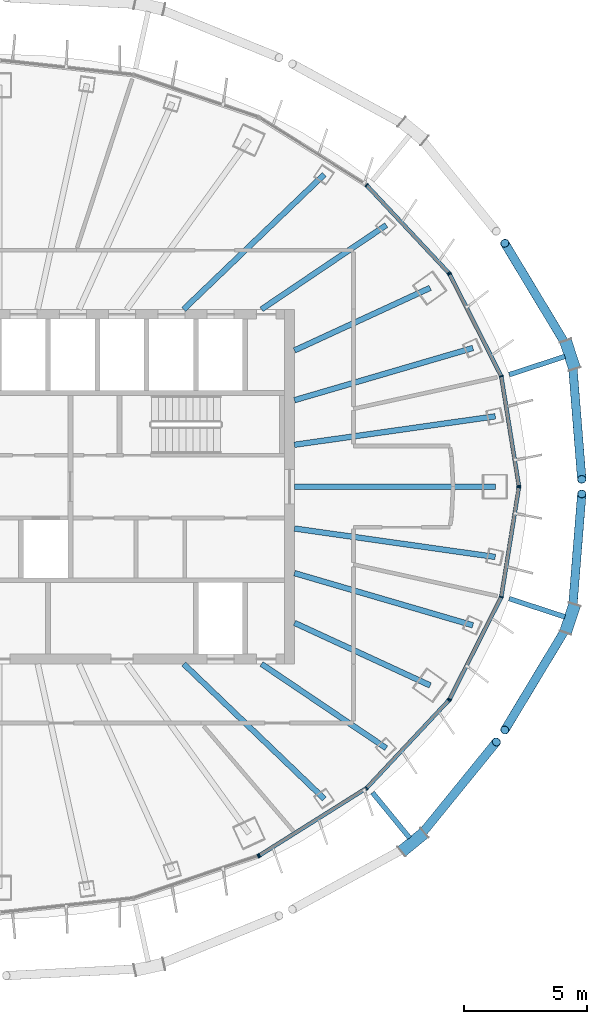
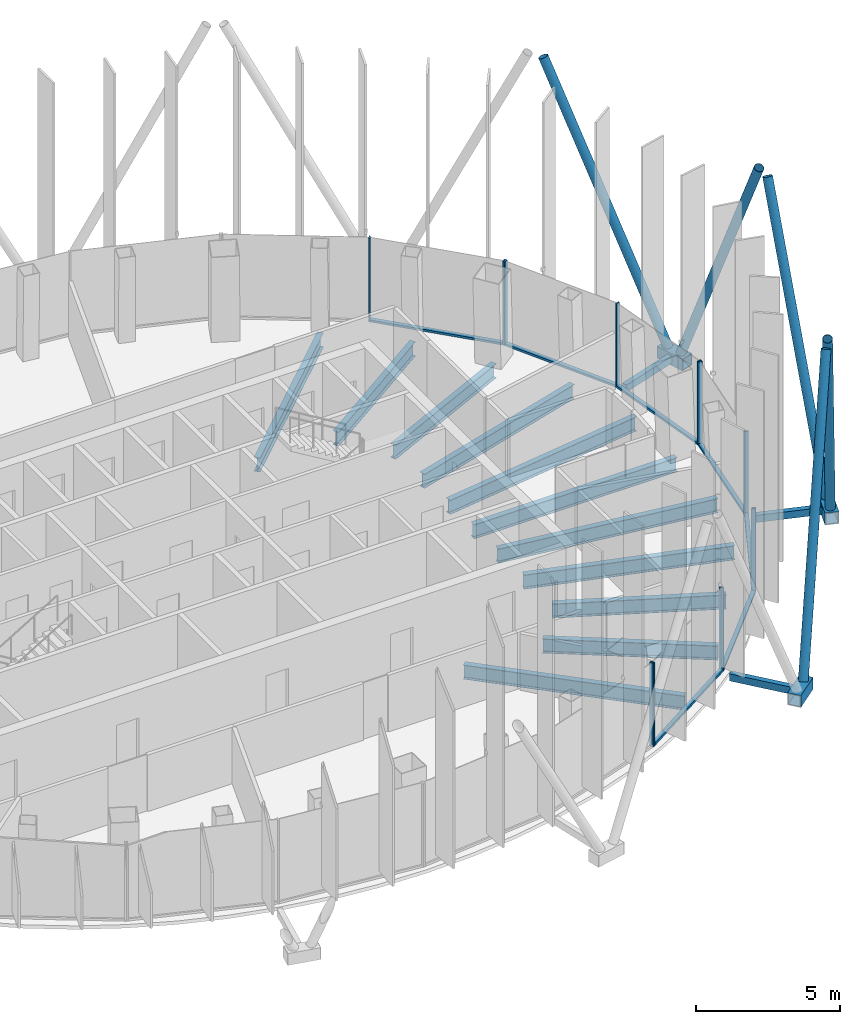
# One storey, part 6 of 19: 30 members, 11 beams, 5 elements without a shape of their own.
"""IFC4 building model written with IfcOpenShell, lengths in metres."""

from ifc_helpers import new_model, si_unit, direction, frame, origin, origin_2d, place, context, subcontext, project, spatial, rectangle, hollow_rectangle, hollow_circle, i_section, extrude, material, layer, layer_set, material_profile, profile_set, type_object, element, aggregate, save


model = new_model("IFC4")

# Units and contexts
model_context = context("Model", 3, precision=1e-05, world=origin(), true_north=direction((0.0, 1.0)))
body_context = subcontext(model_context, "Body", "Model", "MODEL_VIEW")
ifc_project = project(units=[si_unit("LENGTHUNIT", "METRE"), si_unit("AREAUNIT", "SQUARE_METRE"), si_unit("VOLUMEUNIT", "CUBIC_METRE"), si_unit("PLANEANGLEUNIT", "RADIAN"), si_unit("MASSUNIT", "GRAM", prefix="KILO")], contexts=[model_context])

# Site, building, storey
site_placement = place(None, origin())
site = spatial("IfcSite", under=ifc_project, at=site_placement, CompositionType="ELEMENT")
building_placement = place(site_placement, origin())
building = spatial("IfcBuilding", under=site, at=building_placement, Name="Siaravel Broadcast Tower", CompositionType="ELEMENT")
storey_placement = place(building_placement, frame((0.0, 0.0, 239.300048828125)))
storey = spatial("IfcBuildingStorey", under=building, at=storey_placement, Name="L58", CompositionType="ELEMENT", Elevation=239.300048828125)

# Beams
ifc_material_1 = material(Name="Steel S355", Category="steel")
ifc_material_profile_1 = material_profile(ifc_material_1, i_section(OverallWidth=0.2275390625, OverallDepth=0.6025390625, WebThickness=0.010498046875, FlangeThickness=0.014892578125, FilletRadius=0.0126953125, at=origin_2d()))
ifc_profile_set_1 = profile_set([ifc_material_profile_1], Name="Steel S355")
beam_type = type_object("IfcBeamType", Name="BM-UB 610x229x101", PredefinedType="BEAM", material=ifc_profile_set_1)
beam_1_placement = place(storey_placement, frame((20.159912109375, 0.0, -0.451416015625), z_axis=(-1.0, 0.0, 0.0), x_axis=(0.0, -1.0, 0.0)))
element("IfcBeam", 1, at=beam_1_placement, inside=storey, type_object=beam_type, Name="Radial beam RB01", PredefinedType="BEAM", context=body_context, shape_type="SweptSolid", body=[
    extrude(i_section(OverallWidth=0.2275390625, OverallDepth=0.6025390625, WebThickness=0.010498046875, FlangeThickness=0.014892578125, FilletRadius=0.0126953125, at=origin_2d()), origin(), (0.0, 0.0, 1.0), 8.159912109375),
])
beam_2_placement = place(storey_placement, frame((20.15478515625, 2.855712890625, -0.451416015625), z_axis=(-0.990109516, -0.140296639, 0.0), x_axis=(0.140296639, -0.990109516, 0.0)))
element("IfcBeam", 2, at=beam_2_placement, inside=storey, type_object=beam_type, Name="Radial beam RB02", PredefinedType="BEAM", context=body_context, shape_type="SweptSolid", body=[
    extrude(i_section(OverallWidth=0.2275390625, OverallDepth=0.6025390625, WebThickness=0.010498046875, FlangeThickness=0.014892578125, FilletRadius=0.0126953125, at=origin_2d()), origin(), (0.0, 0.0, 1.0), 8.236328125),
])
beam_3_placement = place(storey_placement, frame((19.24658203125, 5.631103515625, -0.451416015625), z_axis=(-0.959767168, -0.280797052, 0.0), x_axis=(0.280797052, -0.959767168, 0.0)))
element("IfcBeam", 3, at=beam_3_placement, inside=storey, type_object=beam_type, Name="Radial beam RB03", PredefinedType="BEAM", context=body_context, shape_type="SweptSolid", body=[
    extrude(i_section(OverallWidth=0.2275390625, OverallDepth=0.6025390625, WebThickness=0.010498046875, FlangeThickness=0.014892578125, FilletRadius=0.0126953125, at=origin_2d()), origin(), (0.0, 0.0, 1.0), 7.55029296875),
])
beam_4_placement = place(storey_placement, frame((17.512451171875, 8.073486328125, -0.451416015625), z_axis=(-0.908128823, -0.418690865, 0.0), x_axis=(0.418690865, -0.908128823, 0.0)))
element("IfcBeam", 4, at=beam_4_placement, inside=storey, type_object=beam_type, Name="Radial beam RB04", PredefinedType="BEAM", context=body_context, shape_type="SweptSolid", body=[
    extrude(i_section(OverallWidth=0.2275390625, OverallDepth=0.6025390625, WebThickness=0.010498046875, FlangeThickness=0.014892578125, FilletRadius=0.0126953125, at=origin_2d()), origin(), (0.0, 0.0, 1.0), 6.070068359375),
])
beam_5_placement = place(storey_placement, frame((15.727294921875, 10.62109375, -0.451416015625), z_axis=(-0.828723642, -0.559658043, 0.0), x_axis=(0.559658043, -0.828723642, 0.0)))
element("IfcBeam", 5, at=beam_5_placement, inside=storey, type_object=beam_type, Name="Radial beam RB05", PredefinedType="BEAM", context=body_context, shape_type="SweptSolid", body=[
    extrude(i_section(OverallWidth=0.2275390625, OverallDepth=0.6025390625, WebThickness=0.010498046875, FlangeThickness=0.014892578125, FilletRadius=0.0126953125, at=origin_2d()), origin(), (0.0, 0.0, 1.0), 6.113037109375),
])
for number, where, z_axis, x_axis, name in (
    (6, (13.21240234375, 12.680908203125, -0.451416015625), (-0.721455119, -0.692461198, 0.0), (0.692461198, -0.721455119, 0.0), "Radial beam RB06"),
    (7, (13.21240234375, -12.680908203125, -0.451416015625), (-0.721455119, 0.692461198, 0.0), (-0.692461198, -0.721455119, 0.0), "Radial beam RB32"),
):
    element("IfcBeam", number, at=place(storey_placement, frame(where, z_axis=z_axis, x_axis=x_axis)), inside=storey, type_object=beam_type, Name=name, PredefinedType="BEAM", context=body_context, shape_type="SweptSolid", body=[
        extrude(i_section(OverallWidth=0.2275390625, OverallDepth=0.6025390625, WebThickness=0.010498046875, FlangeThickness=0.014892578125, FilletRadius=0.0126953125, at=origin_2d()), origin(), (0.0, 0.0, 1.0), 7.915283203125),
    ])
beam_6_placement = place(storey_placement, frame((15.727294921875, -10.62109375, -0.451416015625), z_axis=(-0.828723642, 0.559658043, 0.0), x_axis=(-0.559658043, -0.828723642, 0.0)))
element("IfcBeam", 8, at=beam_6_placement, inside=storey, type_object=beam_type, Name="Radial beam RB33", PredefinedType="BEAM", context=body_context, shape_type="SweptSolid", body=[
    extrude(i_section(OverallWidth=0.2275390625, OverallDepth=0.6025390625, WebThickness=0.010498046875, FlangeThickness=0.014892578125, FilletRadius=0.0126953125, at=origin_2d()), origin(), (0.0, 0.0, 1.0), 6.113037109375),
])
beam_7_placement = place(storey_placement, frame((17.512451171875, -8.073486328125, -0.451416015625), z_axis=(-0.908128823, 0.418690865, 0.0), x_axis=(-0.418690865, -0.908128823, 0.0)))
element("IfcBeam", 9, at=beam_7_placement, inside=storey, type_object=beam_type, Name="Radial beam RB34", PredefinedType="BEAM", context=body_context, shape_type="SweptSolid", body=[
    extrude(i_section(OverallWidth=0.2275390625, OverallDepth=0.6025390625, WebThickness=0.010498046875, FlangeThickness=0.014892578125, FilletRadius=0.0126953125, at=origin_2d()), origin(), (0.0, 0.0, 1.0), 6.070068359375),
])
beam_8_placement = place(storey_placement, frame((19.24658203125, -5.631103515625, -0.451416015625), z_axis=(-0.959767168, 0.280797052, 0.0), x_axis=(-0.280797052, -0.959767168, 0.0)))
element("IfcBeam", 10, at=beam_8_placement, inside=storey, type_object=beam_type, Name="Radial beam RB35", PredefinedType="BEAM", context=body_context, shape_type="SweptSolid", body=[
    extrude(i_section(OverallWidth=0.2275390625, OverallDepth=0.6025390625, WebThickness=0.010498046875, FlangeThickness=0.014892578125, FilletRadius=0.0126953125, at=origin_2d()), origin(), (0.0, 0.0, 1.0), 7.55029296875),
])
beam_9_placement = place(storey_placement, frame((20.15478515625, -2.855712890625, -0.451416015625), z_axis=(-0.990109516, 0.140296639, 0.0), x_axis=(-0.140296639, -0.990109516, 0.0)))
element("IfcBeam", 11, at=beam_9_placement, inside=storey, type_object=beam_type, Name="Radial beam RB36", PredefinedType="BEAM", context=body_context, shape_type="SweptSolid", body=[
    extrude(i_section(OverallWidth=0.2275390625, OverallDepth=0.6025390625, WebThickness=0.010498046875, FlangeThickness=0.014892578125, FilletRadius=0.0126953125, at=origin_2d()), origin(), (0.0, 0.0, 1.0), 8.236328125),
])

# Curtain wall, members
ifc_material_2 = material(Name="Aluminium 6063-T6", Category="aluminium")
ifc_layer = layer(ifc_material_2, 0.159912109375)
ifc_layer_set = layer_set([ifc_layer], Name="Aluminium 6063-T6")
curtain_wall_type = type_object("IfcCurtainWallType", Name="Unitised curtain wall, zone 4", PredefinedType="NOTDEFINED", material=ifc_layer_set)
curtain_wall_1_placement = place(storey_placement, origin())
curtain_wall_1 = element("IfcCurtainWall", 12, at=curtain_wall_1_placement, inside=storey, type_object=curtain_wall_type, Name="L58 Unitised curtain wall, zone 4 01", PredefinedType="NOTDEFINED")
ifc_material_profile_2 = material_profile(ifc_material_2, rectangle(XDim=0.159912109375, YDim=0.054931640625, at=origin_2d()))
ifc_profile_set_2 = profile_set([ifc_material_profile_2], Name="Aluminium 6063-T6")
member_type_1 = type_object("IfcMemberType", Name="CW-Z4 mullion", PredefinedType="MULLION", material=ifc_profile_set_2)
member_1_placement = place(storey_placement, frame((21.11328125, 0.027099609375, 0.0), z_axis=(0.0, 0.0, 1.0), x_axis=(-0.987329304, -0.158684735, 0.0)))
member_1 = element("IfcMember", 13, at=member_1_placement, type_object=member_type_1, Name="CW-Z4 mullion 1", PredefinedType="MULLION", context=body_context, shape_type="SweptSolid", body=[
    extrude(rectangle(XDim=0.159912109375, YDim=0.054931640625, at=origin_2d()), origin(), (0.0, 0.0, 1.0), 3.550048828125),
])
member_2_placement = place(storey_placement, frame((20.3974609375, 4.48193359375, 0.0), z_axis=(0.0, 0.0, 1.0), x_axis=(-0.951177611, -0.308644055, 0.0)))
member_2 = element("IfcMember", 14, at=member_2_placement, type_object=member_type_1, Name="CW-Z4 mullion 2", PredefinedType="MULLION", context=body_context, shape_type="SweptSolid", body=[
    extrude(rectangle(XDim=0.159912109375, YDim=0.054931640625, at=origin_2d()), origin(), (0.0, 0.0, 1.0), 3.550048828125),
])
member_3_placement = place(storey_placement, frame((18.298583984375, 8.6328125, 0.0), z_axis=(0.0, 0.0, 1.0), x_axis=(-0.892392891, -0.451259268, 0.0)))
member_3 = element("IfcMember", 15, at=member_3_placement, type_object=member_type_1, Name="CW-Z4 mullion 3", PredefinedType="MULLION", context=body_context, shape_type="SweptSolid", body=[
    extrude(rectangle(XDim=0.159912109375, YDim=0.054931640625, at=origin_2d()), origin(), (0.0, 0.0, 1.0), 3.550048828125),
])

curtain_wall_2_placement = place(storey_placement, origin())
curtain_wall_2 = element("IfcCurtainWall", 16, at=curtain_wall_2_placement, inside=storey, type_object=curtain_wall_type, Name="L58 Unitised curtain wall, zone 4 02", PredefinedType="NOTDEFINED")
member_4_placement = place(storey_placement, frame((18.267333984375, 8.67724609375, 0.0), z_axis=(0.0, 0.0, 1.0), x_axis=(-0.729806527, -0.683653738, 0.0)))
member_4 = element("IfcMember", 17, at=member_4_placement, type_object=member_type_1, Name="CW-Z4 mullion 1", PredefinedType="MULLION", context=body_context, shape_type="SweptSolid", body=[
    extrude(rectangle(XDim=0.159912109375, YDim=0.054931640625, at=origin_2d()), origin(), (0.0, 0.0, 1.0), 3.550048828125),
])
member_5_placement = place(storey_placement, frame((14.928955078125, 12.2412109375, 0.0), z_axis=(0.0, 0.0, 1.0), x_axis=(-0.636219923, -0.771507751, 0.0)))
member_5 = element("IfcMember", 18, at=member_5_placement, type_object=member_type_1, Name="CW-Z4 mullion 2", PredefinedType="MULLION", context=body_context, shape_type="SweptSolid", body=[
    extrude(rectangle(XDim=0.159912109375, YDim=0.054931640625, at=origin_2d()), origin(), (0.0, 0.0, 1.0), 3.550048828125),
])

# Curtain wall, member
curtain_wall_3_placement = place(storey_placement, origin())
curtain_wall_3 = element("IfcCurtainWall", 19, at=curtain_wall_3_placement, inside=storey, type_object=curtain_wall_type, Name="L58 Unitised curtain wall, zone 4 10", PredefinedType="NOTDEFINED")
member_6_placement = place(storey_placement, frame((10.529296875, -14.998779296875, 0.0), z_axis=(0.0, 0.0, 1.0), x_axis=(-0.321301466, 0.946976963, 0.0)))
member_6 = element("IfcMember", 20, at=member_6_placement, type_object=member_type_1, Name="CW-Z4 mullion 3", PredefinedType="MULLION", context=body_context, shape_type="SweptSolid", body=[
    extrude(rectangle(XDim=0.159912109375, YDim=0.054931640625, at=origin_2d()), origin(), (0.0, 0.0, 1.0), 3.550048828125),
])
aggregate(curtain_wall_3, [member_6])

# Curtain wall, members
curtain_wall_4_placement = place(storey_placement, origin())
curtain_wall_4 = element("IfcCurtainWall", 21, at=curtain_wall_4_placement, inside=storey, type_object=curtain_wall_type, Name="L58 Unitised curtain wall, zone 4 11", PredefinedType="NOTDEFINED")
member_7_placement = place(storey_placement, frame((10.57861328125, -14.9755859375, 0.0), z_axis=(0.0, 0.0, 1.0), x_axis=(-0.532150463, 0.846649801, 0.0)))
member_7 = element("IfcMember", 22, at=member_7_placement, type_object=member_type_1, Name="CW-Z4 mullion 1", PredefinedType="MULLION", context=body_context, shape_type="SweptSolid", body=[
    extrude(rectangle(XDim=0.159912109375, YDim=0.054931640625, at=origin_2d()), origin(), (0.0, 0.0, 1.0), 3.550048828125),
])
member_8_placement = place(storey_placement, frame((14.928955078125, -12.2412109375, 0.0), z_axis=(0.0, 0.0, 1.0), x_axis=(-0.636219923, 0.771507751, 0.0)))
member_8 = element("IfcMember", 23, at=member_8_placement, type_object=member_type_1, Name="CW-Z4 mullion 2", PredefinedType="MULLION", context=body_context, shape_type="SweptSolid", body=[
    extrude(rectangle(XDim=0.159912109375, YDim=0.054931640625, at=origin_2d()), origin(), (0.0, 0.0, 1.0), 3.550048828125),
])
member_9_placement = place(storey_placement, frame((18.267333984375, -8.67724609375, 0.0), z_axis=(0.0, 0.0, 1.0), x_axis=(-0.729806527, 0.683653738, 0.0)))
member_9 = element("IfcMember", 24, at=member_9_placement, type_object=member_type_1, Name="CW-Z4 mullion 3", PredefinedType="MULLION", context=body_context, shape_type="SweptSolid", body=[
    extrude(rectangle(XDim=0.159912109375, YDim=0.054931640625, at=origin_2d()), origin(), (0.0, 0.0, 1.0), 3.550048828125),
])

curtain_wall_5_placement = place(storey_placement, origin())
curtain_wall_5 = element("IfcCurtainWall", 25, at=curtain_wall_5_placement, inside=storey, type_object=curtain_wall_type, Name="L58 Unitised curtain wall, zone 4 12", PredefinedType="NOTDEFINED")
member_10_placement = place(storey_placement, frame((18.298583984375, -8.6328125, 0.0), z_axis=(0.0, 0.0, 1.0), x_axis=(-0.892392891, 0.451259268, 0.0)))
member_10 = element("IfcMember", 26, at=member_10_placement, type_object=member_type_1, Name="CW-Z4 mullion 1", PredefinedType="MULLION", context=body_context, shape_type="SweptSolid", body=[
    extrude(rectangle(XDim=0.159912109375, YDim=0.054931640625, at=origin_2d()), origin(), (0.0, 0.0, 1.0), 3.550048828125),
])
member_11_placement = place(storey_placement, frame((20.3974609375, -4.48193359375, 0.0), z_axis=(0.0, 0.0, 1.0), x_axis=(-0.951177611, 0.308644055, 0.0)))
member_11 = element("IfcMember", 27, at=member_11_placement, type_object=member_type_1, Name="CW-Z4 mullion 2", PredefinedType="MULLION", context=body_context, shape_type="SweptSolid", body=[
    extrude(rectangle(XDim=0.159912109375, YDim=0.054931640625, at=origin_2d()), origin(), (0.0, 0.0, 1.0), 3.550048828125),
])
member_12_placement = place(storey_placement, frame((21.11328125, -0.027099609375, 0.0), z_axis=(0.0, 0.0, 1.0), x_axis=(-0.987329304, 0.158684735, 0.0)))
member_12 = element("IfcMember", 28, at=member_12_placement, type_object=member_type_1, Name="CW-Z4 mullion 3", PredefinedType="MULLION", context=body_context, shape_type="SweptSolid", body=[
    extrude(rectangle(XDim=0.159912109375, YDim=0.054931640625, at=origin_2d()), origin(), (0.0, 0.0, 1.0), 3.550048828125),
])

# Member
ifc_material_profile_3 = material_profile(ifc_material_2, rectangle(XDim=0.159912109375, YDim=0.090087890625, at=origin_2d()))
ifc_profile_set_3 = profile_set([ifc_material_profile_3], Name="Aluminium 6063-T6")
member_type_2 = type_object("IfcMemberType", Name="CW-Z4 transom", PredefinedType="USERDEFINED", material=ifc_profile_set_3)
member_13_placement = place(storey_placement, frame((21.109130859375, 0.05419921875, 0.044921875), z_axis=(-0.15868477, 0.987329299, 0.0), x_axis=(-0.987329299, -0.15868477, 0.0)))
member_13 = element("IfcMember", 29, at=member_13_placement, type_object=member_type_2, Name="CW-Z4 transom 1", ObjectType="TRANSOM", PredefinedType="USERDEFINED", context=body_context, shape_type="SweptSolid", body=[
    extrude(rectangle(XDim=0.159912109375, YDim=0.090087890625, at=origin_2d()), origin(), (0.0, 0.0, 1.0), 4.45703125),
])

member_14_placement = place(storey_placement, frame((20.385009765625, 4.506591796875, 0.044921875), z_axis=(-0.451288387, 0.892378166, 0.0), x_axis=(-0.892378166, -0.451288387, 0.0)))
member_14 = element("IfcMember", 30, at=member_14_placement, type_object=member_type_2, Name="CW-Z4 transom 2", ObjectType="TRANSOM", PredefinedType="USERDEFINED", context=body_context, shape_type="SweptSolid", body=[
    extrude(rectangle(XDim=0.159912109375, YDim=0.090087890625, at=origin_2d()), origin(), (0.0, 0.0, 1.0), 4.59619140625),
])

aggregate(curtain_wall_1, [member_1, member_2, member_3, member_13, member_14])

member_15_placement = place(storey_placement, frame((18.24853515625, 8.697509765625, 0.044921875), z_axis=(-0.683646721, 0.7298131, 0.0), x_axis=(-0.7298131, -0.683646721, 0.0)))
member_15 = element("IfcMember", 31, at=member_15_placement, type_object=member_type_2, Name="CW-Z4 transom 1", ObjectType="TRANSOM", PredefinedType="USERDEFINED", context=body_context, shape_type="SweptSolid", body=[
    extrude(rectangle(XDim=0.159912109375, YDim=0.090087890625, at=origin_2d()), origin(), (0.0, 0.0, 1.0), 4.828125),
])

aggregate(curtain_wall_2, [member_4, member_5, member_15])

member_16_placement = place(storey_placement, frame((10.601806640625, -14.960693359375, 0.044921875), z_axis=(0.84666808, 0.532121379, 0.0), x_axis=(-0.532121379, 0.84666808, 0.0)))
member_16 = element("IfcMember", 32, at=member_16_placement, type_object=member_type_2, Name="CW-Z4 transom 1", ObjectType="TRANSOM", PredefinedType="USERDEFINED", context=body_context, shape_type="SweptSolid", body=[
    extrude(rectangle(XDim=0.159912109375, YDim=0.090087890625, at=origin_2d()), origin(), (0.0, 0.0, 1.0), 5.0830078125),
])

member_17_placement = place(storey_placement, frame((14.94775390625, -12.22119140625, 0.044921875), z_axis=(0.683646721, 0.7298131, 0.0), x_axis=(-0.7298131, 0.683646721, 0.0)))
member_17 = element("IfcMember", 33, at=member_17_placement, type_object=member_type_2, Name="CW-Z4 transom 2", ObjectType="TRANSOM", PredefinedType="USERDEFINED", context=body_context, shape_type="SweptSolid", body=[
    extrude(rectangle(XDim=0.159912109375, YDim=0.090087890625, at=origin_2d()), origin(), (0.0, 0.0, 1.0), 4.828125),
])

aggregate(curtain_wall_4, [member_7, member_8, member_9, member_16, member_17])

member_18_placement = place(storey_placement, frame((18.310791015625, -8.608154296875, 0.044921875), z_axis=(0.451288387, 0.892378166, 0.0), x_axis=(-0.892378166, 0.451288387, 0.0)))
member_18 = element("IfcMember", 34, at=member_18_placement, type_object=member_type_2, Name="CW-Z4 transom 1", ObjectType="TRANSOM", PredefinedType="USERDEFINED", context=body_context, shape_type="SweptSolid", body=[
    extrude(rectangle(XDim=0.159912109375, YDim=0.090087890625, at=origin_2d()), origin(), (0.0, 0.0, 1.0), 4.59619140625),
])

member_19_placement = place(storey_placement, frame((20.40185546875, -4.454833984375, 0.044921875), z_axis=(0.15868477, 0.987329299, 0.0), x_axis=(-0.987329299, 0.15868477, 0.0)))
member_19 = element("IfcMember", 35, at=member_19_placement, type_object=member_type_2, Name="CW-Z4 transom 2", ObjectType="TRANSOM", PredefinedType="USERDEFINED", context=body_context, shape_type="SweptSolid", body=[
    extrude(rectangle(XDim=0.159912109375, YDim=0.090087890625, at=origin_2d()), origin(), (0.0, 0.0, 1.0), 4.45703125),
])

aggregate(curtain_wall_5, [member_10, member_11, member_12, member_18, member_19])

# Members
ifc_material_3 = material(Name="Steel S460", Category="steel")
ifc_material_profile_4 = material_profile(ifc_material_3, hollow_circle(Radius=0.177734375, WallThickness=0.012451171875, at=origin_2d()))
ifc_profile_set_4 = profile_set([ifc_material_profile_4], Name="Steel S460")
member_type_3 = type_object("IfcMemberType", Name="Diagrid diagonal CHS 355.6x12.5", PredefinedType="BRACE", material=ifc_profile_set_4)
member_20_placement = place(storey_placement, frame((23.2841796875, 5.0751953125, 0.02001953125), z_axis=(0.032813412, -0.408903993, 0.911987283), x_axis=(0.996795659, 0.079990089, 0.0)))
element("IfcMember", 36, at=member_20_placement, inside=storey, type_object=member_type_3, Name="Diagrid diagonal R24 station 03C", PredefinedType="BRACE", context=body_context, shape_type="SweptSolid", body=[
    extrude(hollow_circle(Radius=0.177734375, WallThickness=0.012451171875, at=origin_2d()), origin(), (0.0, 0.0, 1.0), 11.688720703125),
])
member_21_placement = place(storey_placement, frame((23.100341796875, 5.63720703125, 0.02001953125), z_axis=(-0.217706207, 0.361279339, 0.906686962), x_axis=(-0.856509654, -0.516131004, 0.0)))
element("IfcMember", 37, at=member_21_placement, inside=storey, type_object=member_type_3, Name="Diagrid diagonal R24 station 03A", PredefinedType="BRACE", context=body_context, shape_type="SweptSolid", body=[
    extrude(hollow_circle(Radius=0.177734375, WallThickness=0.012451171875, at=origin_2d()), origin(), (0.0, 0.0, 1.0), 11.757080078125),
])
member_22_placement = place(storey_placement, frame((17.045166015625, -14.2490234375, 0.02001953125), z_axis=(0.267942774, 0.329605067, 0.905299492), x_axis=(-0.775954218, 0.630789229, 0.0)))
element("IfcMember", 38, at=member_22_placement, inside=storey, type_object=member_type_3, Name="Diagrid diagonal R24 station 63A", PredefinedType="BRACE", context=body_context, shape_type="SweptSolid", body=[
    extrude(hollow_circle(Radius=0.177734375, WallThickness=0.012451171875, at=origin_2d()), origin(), (0.0, 0.0, 1.0), 11.77490234375),
])
member_23_placement = place(storey_placement, frame((23.100341796875, -5.63720703125, 0.02001953125), z_axis=(-0.217706207, -0.361279339, 0.906686962), x_axis=(0.856509654, -0.516131004, 0.0)))
element("IfcMember", 39, at=member_23_placement, inside=storey, type_object=member_type_3, Name="Diagrid diagonal R24 station 69C", PredefinedType="BRACE", context=body_context, shape_type="SweptSolid", body=[
    extrude(hollow_circle(Radius=0.177734375, WallThickness=0.012451171875, at=origin_2d()), origin(), (0.0, 0.0, 1.0), 11.757080078125),
])
member_24_placement = place(storey_placement, frame((23.2841796875, -5.0751953125, 0.02001953125), z_axis=(0.032813412, 0.408903993, 0.911987283), x_axis=(-0.996795659, 0.079990089, 0.0)))
element("IfcMember", 40, at=member_24_placement, inside=storey, type_object=member_type_3, Name="Diagrid diagonal R24 station 69A", PredefinedType="BRACE", context=body_context, shape_type="SweptSolid", body=[
    extrude(hollow_circle(Radius=0.177734375, WallThickness=0.012451171875, at=origin_2d()), origin(), (0.0, 0.0, 1.0), 11.688720703125),
])
ifc_material_profile_5 = material_profile(ifc_material_3, hollow_rectangle(XDim=0.5, YDim=0.5, WallThickness=0.031982421875, at=origin_2d()))
ifc_profile_set_5 = profile_set([ifc_material_profile_5], Name="Steel S460")
member_type_4 = type_object("IfcMemberType", Name="Diagrid node BOX 500x500x32", PredefinedType="USERDEFINED", material=ifc_profile_set_5)
for number, where, z_axis, x_axis, name in (
    (41, (23.376708984375, 4.792236328125, -0.199951171875), (-0.310853231, 0.950457926, 0.0), (-0.950457926, -0.310853231, 0.0), "Diagrid node R24 station 03"),
    (42, (16.357421875, -14.8125, -0.199951171875), (0.773489646, 0.633808936, 0.0), (-0.633808936, 0.773489646, 0.0), "Diagrid node R24 station 63"),
    (43, (23.0078125, -5.920166015625, -0.199951171875), (0.310853231, 0.950457926, 0.0), (-0.950457926, 0.310853231, 0.0), "Diagrid node R24 station 69"),
):
    element("IfcMember", number, at=place(storey_placement, frame(where, z_axis=z_axis, x_axis=x_axis)), inside=storey, type_object=member_type_4, Name=name, ObjectType="DIAGRID NODE", PredefinedType="USERDEFINED", context=body_context, shape_type="SweptSolid", body=[
        extrude(hollow_rectangle(XDim=0.5, YDim=0.5, WallThickness=0.031982421875, at=origin_2d()), origin(), (0.0, 0.0, 1.0), 1.186767578125),
    ])
ifc_material_profile_6 = material_profile(ifc_material_3, hollow_rectangle(XDim=0.199951171875, YDim=0.300048828125, WallThickness=0.012451171875, at=origin_2d()))
ifc_profile_set_6 = profile_set([ifc_material_profile_6], Name="Steel S460")
member_type_5 = type_object("IfcMemberType", Name="Diagrid node arm RHS 300x200x12.5", PredefinedType="STRUT", material=ifc_profile_set_6)
member_25_placement = place(storey_placement, frame((20.720947265625, 4.5478515625, -0.199951171875), z_axis=(0.950442877, 0.31089924, 0.0), x_axis=(-0.31089924, 0.950442877, 0.0)))
element("IfcMember", 44, at=member_25_placement, inside=storey, type_object=member_type_5, Name="Node arm R24 station 03", PredefinedType="STRUT", context=body_context, shape_type="SweptSolid", body=[
    extrude(hollow_rectangle(XDim=0.199951171875, YDim=0.300048828125, WallThickness=0.012451171875, at=origin_2d()), origin(), (0.0, 0.0, 1.0), 2.380126953125),
])
member_26_placement = place(storey_placement, frame((15.1689453125, -12.425048828125, -0.199951171875), z_axis=(0.633673426, -0.773600665, 0.0), x_axis=(0.773600665, 0.633673426, 0.0)))
element("IfcMember", 45, at=member_26_placement, inside=storey, type_object=member_type_5, Name="Node arm R24 station 63", PredefinedType="STRUT", context=body_context, shape_type="SweptSolid", body=[
    extrude(hollow_rectangle(XDim=0.199951171875, YDim=0.300048828125, WallThickness=0.012451171875, at=origin_2d()), origin(), (0.0, 0.0, 1.0), 2.3798828125),
])
member_27_placement = place(storey_placement, frame((20.720947265625, -4.5478515625, -0.199951171875), z_axis=(0.950442877, -0.31089924, 0.0), x_axis=(0.31089924, 0.950442877, 0.0)))
element("IfcMember", 46, at=member_27_placement, inside=storey, type_object=member_type_5, Name="Node arm R24 station 69", PredefinedType="STRUT", context=body_context, shape_type="SweptSolid", body=[
    extrude(hollow_rectangle(XDim=0.199951171875, YDim=0.300048828125, WallThickness=0.012451171875, at=origin_2d()), origin(), (0.0, 0.0, 1.0), 2.380126953125),
])

save(model, "model.ifc")
